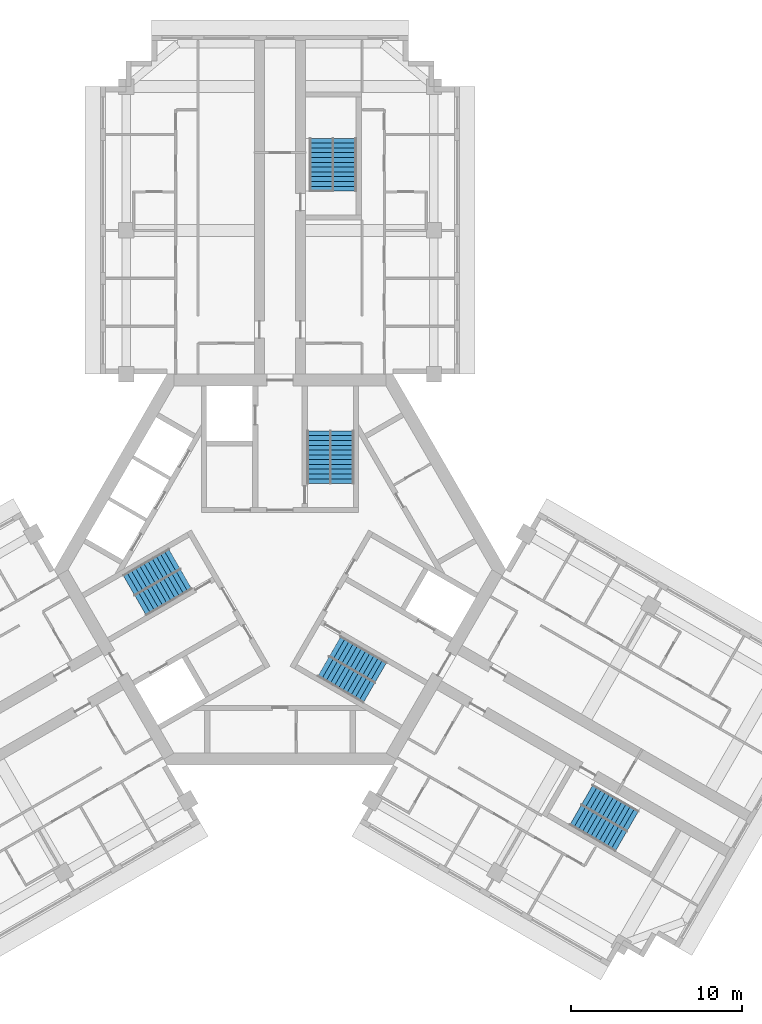
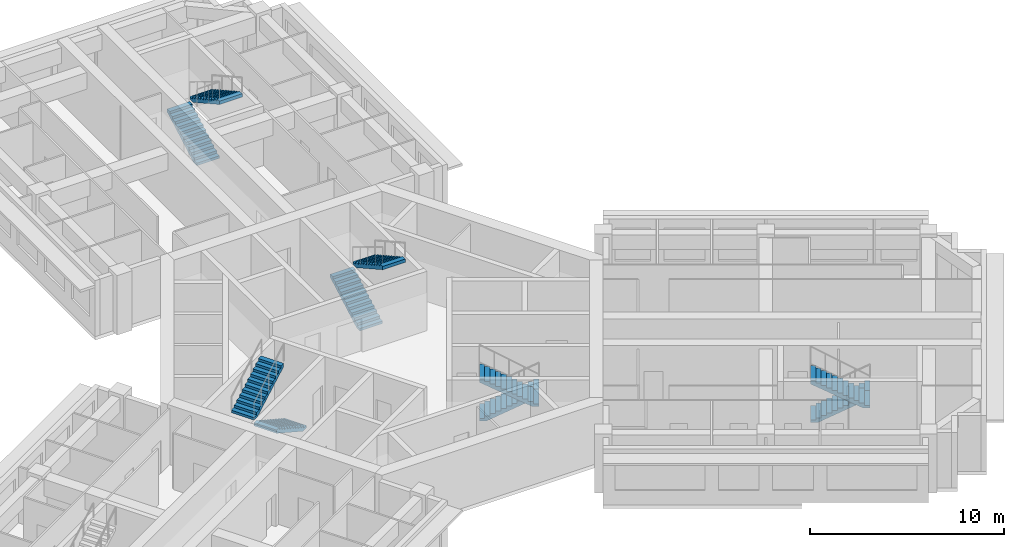
# One storey, part 9 of 10: 10 stair flights, 5 elements without a shape of their own.
"""IFC4 building model written with IfcOpenShell, lengths in metres."""

from ifc_helpers import new_model, si_unit, direction, frame, origin, place, context, subcontext, project, spatial, polyline, outline, extrude, material, type_object, element, aggregate, save


model = new_model("IFC4")

# Units and contexts
model_context = context("Model", 3, precision=1e-05, world=origin(), true_north=direction((0.0, 1.0)))
body_context = subcontext(model_context, "Body", "Model", "MODEL_VIEW")
ifc_project = project(units=[si_unit("LENGTHUNIT", "METRE"), si_unit("AREAUNIT", "SQUARE_METRE"), si_unit("VOLUMEUNIT", "CUBIC_METRE"), si_unit("PLANEANGLEUNIT", "RADIAN"), si_unit("MASSUNIT", "GRAM", prefix="KILO")], contexts=[model_context])

# Site, building, storey
site_placement = place(None, origin())
site = spatial("IfcSite", under=ifc_project, at=site_placement, CompositionType="ELEMENT")
building_placement = place(site_placement, origin())
building = spatial("IfcBuilding", under=site, at=building_placement, Name="Impinga Residences", CompositionType="ELEMENT")
storey_placement = place(building_placement, frame((0.0, 0.0, 267.25)))
storey = spatial("IfcBuildingStorey", under=building, at=storey_placement, Name="L67", CompositionType="ELEMENT", Elevation=267.25)

# Stair, stair flights
ifc_material = material(Name="Concrete C40/50", Category="concrete")
stair_type_1 = type_object("IfcStairType", Name="STR core stair 3750 storey, 24 risers", PredefinedType="HALF_TURN_STAIR", material=ifc_material)
stair_1_placement = place(storey_placement, origin())
stair_1 = element("IfcStair", 1, at=stair_1_placement, inside=storey, type_object=stair_type_1, Name="Stair ST1 L67", PredefinedType="HALF_TURN_STAIR")
stair_flight_type = type_object("IfcStairFlightType", Name="SF 12 risers of 156", PredefinedType="STRAIGHT", material=ifc_material)
stair_flight_1_placement = place(storey_placement, frame((2.27490234375, 5.030029296875, 0.0), z_axis=(0.0, 0.0, 1.0), x_axis=(0.0, 1.0, 0.0)))
stair_flight_1 = element("IfcStairFlight", 2, at=stair_flight_1_placement, type_object=stair_flight_type, Name="ST1 flight 1", NumberOfRisers=12, NumberOfTreads=11, PredefinedType="STRAIGHT", RiserHeight=0.15625, TreadLength=0.28, context=body_context, shape_type="SweptSolid", body=[
    extrude(outline(polyline([(0.0, 0.0), (0.0, 0.15625), (0.280029296875, 0.15625), (0.280029296875, 0.3125), (0.56005859375, 0.3125), (0.56005859375, 0.46875), (0.840087890625, 0.46875), (0.840087890625, 0.625), (1.1201171875, 0.625), (1.1201171875, 0.78125), (1.39990234375, 0.78125), (1.39990234375, 0.9375), (1.679931640625, 0.9375), (1.679931640625, 1.09375), (1.9599609375, 1.09375), (1.9599609375, 1.25), (2.239990234375, 1.25), (2.239990234375, 1.40625), (2.52001953125, 1.40625), (2.52001953125, 1.5625), (2.800048828125, 1.5625), (2.800048828125, 1.71875), (3.080078125, 1.71875), (3.080078125, 1.875), (3.080078125, 1.5126953125), (0.369140625, 0.0), (0.0, 0.0)])), frame((0.0, 0.675048828125, 0.0), z_axis=(0.0, -1.0, 0.0), x_axis=(1.0, 0.0, 0.0)), (0.0, 0.0, 1.0), 1.35009765625),
])
stair_flight_2_placement = place(storey_placement, frame((3.625, 8.110107421875, 1.875), z_axis=(0.0, 0.0, 1.0), x_axis=(0.0, -1.0, 0.0)))
stair_flight_2 = element("IfcStairFlight", 3, at=stair_flight_2_placement, type_object=stair_flight_type, Name="ST1 flight 2", NumberOfRisers=12, NumberOfTreads=11, PredefinedType="STRAIGHT", RiserHeight=0.15625, TreadLength=0.28, context=body_context, shape_type="SweptSolid", body=[
    extrude(outline(polyline([(0.0, 0.0), (0.0, 0.15625), (0.280029296875, 0.15625), (0.280029296875, 0.3125), (0.56005859375, 0.3125), (0.56005859375, 0.46875), (0.840087890625, 0.46875), (0.840087890625, 0.625), (1.1201171875, 0.625), (1.1201171875, 0.78125), (1.39990234375, 0.78125), (1.39990234375, 0.9375), (1.679931640625, 0.9375), (1.679931640625, 1.09375), (1.9599609375, 1.09375), (1.9599609375, 1.25), (2.239990234375, 1.25), (2.239990234375, 1.40625), (2.52001953125, 1.40625), (2.52001953125, 1.5625), (2.800048828125, 1.5625), (2.800048828125, 1.71875), (3.080078125, 1.71875), (3.080078125, 1.875), (3.080078125, 1.5126953125), (0.369140625, 0.0), (0.0, 0.0)])), frame((0.0, 0.675048828125, 0.0), z_axis=(0.0, -1.0, 0.0), x_axis=(1.0, 0.0, 0.0)), (0.0, 0.0, 1.0), 1.35009765625),
])
aggregate(stair_1, [stair_flight_1, stair_flight_2])

stair_2_placement = place(storey_placement, origin())
stair_2 = element("IfcStair", 4, at=stair_2_placement, inside=storey, type_object=stair_type_1, Name="Stair ST2 L67", PredefinedType="HALF_TURN_STAIR")
stair_flight_3_placement = place(storey_placement, frame((-5.49365234375, -0.544677734375, 0.0), z_axis=(0.0, 0.0, 1.0), x_axis=(-0.866025403784, -0.5, 0.0)))
stair_flight_3 = element("IfcStairFlight", 5, at=stair_flight_3_placement, type_object=stair_flight_type, Name="ST2 flight 1", NumberOfRisers=12, NumberOfTreads=11, PredefinedType="STRAIGHT", RiserHeight=0.15625, TreadLength=0.28, context=body_context, shape_type="SweptSolid", body=[
    extrude(outline(polyline([(0.0, 0.0), (0.0, 0.15625), (0.280029296875, 0.15625), (0.280029296875, 0.3125), (0.56005859375, 0.3125), (0.56005859375, 0.46875), (0.840087890625, 0.46875), (0.840087890625, 0.625), (1.1201171875, 0.625), (1.1201171875, 0.78125), (1.39990234375, 0.78125), (1.39990234375, 0.9375), (1.679931640625, 0.9375), (1.679931640625, 1.09375), (1.9599609375, 1.09375), (1.9599609375, 1.25), (2.239990234375, 1.25), (2.239990234375, 1.40625), (2.52001953125, 1.40625), (2.52001953125, 1.5625), (2.800048828125, 1.5625), (2.800048828125, 1.71875), (3.080078125, 1.71875), (3.080078125, 1.875), (3.080078125, 1.5126953125), (0.369140625, 0.0), (0.0, 0.0)])), frame((0.0, 0.675048828125, 0.0), z_axis=(0.0, -1.0, 0.0), x_axis=(1.0, 0.0, 0.0)), (0.0, 0.0, 1.0), 1.35009765625),
])
stair_flight_4_placement = place(storey_placement, frame((-8.8359375, -0.915771484375, 1.875), z_axis=(0.0, 0.0, 1.0), x_axis=(0.866025403784, 0.5, 0.0)))
stair_flight_4 = element("IfcStairFlight", 6, at=stair_flight_4_placement, type_object=stair_flight_type, Name="ST2 flight 2", NumberOfRisers=12, NumberOfTreads=11, PredefinedType="STRAIGHT", RiserHeight=0.15625, TreadLength=0.28, context=body_context, shape_type="SweptSolid", body=[
    extrude(outline(polyline([(0.0, 0.0), (0.0, 0.15625), (0.280029296875, 0.15625), (0.280029296875, 0.3125), (0.56005859375, 0.3125), (0.56005859375, 0.46875), (0.840087890625, 0.46875), (0.840087890625, 0.625), (1.1201171875, 0.625), (1.1201171875, 0.78125), (1.39990234375, 0.78125), (1.39990234375, 0.9375), (1.679931640625, 0.9375), (1.679931640625, 1.09375), (1.9599609375, 1.09375), (1.9599609375, 1.25), (2.239990234375, 1.25), (2.239990234375, 1.40625), (2.52001953125, 1.40625), (2.52001953125, 1.5625), (2.800048828125, 1.5625), (2.800048828125, 1.71875), (3.080078125, 1.71875), (3.080078125, 1.875), (3.080078125, 1.5126953125), (0.369140625, 0.0), (0.0, 0.0)])), frame((0.0, 0.675048828125, 0.0), z_axis=(0.0, -1.0, 0.0), x_axis=(1.0, 0.0, 0.0)), (0.0, 0.0, 1.0), 1.35009765625),
])
aggregate(stair_2, [stair_flight_3, stair_flight_4])

stair_3_placement = place(storey_placement, origin())
stair_3 = element("IfcStair", 7, at=stair_3_placement, inside=storey, type_object=stair_type_1, Name="Stair ST3 L67", PredefinedType="HALF_TURN_STAIR")
stair_flight_5_placement = place(storey_placement, frame((3.218505859375, -4.485107421875, 0.0), z_axis=(0.0, 0.0, 1.0), x_axis=(0.866025403784, -0.5, 0.0)))
stair_flight_5 = element("IfcStairFlight", 8, at=stair_flight_5_placement, type_object=stair_flight_type, Name="ST3 flight 1", NumberOfRisers=12, NumberOfTreads=11, PredefinedType="STRAIGHT", RiserHeight=0.15625, TreadLength=0.28, context=body_context, shape_type="SweptSolid", body=[
    extrude(outline(polyline([(0.0, 0.0), (0.0, 0.15625), (0.280029296875, 0.15625), (0.280029296875, 0.3125), (0.56005859375, 0.3125), (0.56005859375, 0.46875), (0.840087890625, 0.46875), (0.840087890625, 0.625), (1.1201171875, 0.625), (1.1201171875, 0.78125), (1.39990234375, 0.78125), (1.39990234375, 0.9375), (1.679931640625, 0.9375), (1.679931640625, 1.09375), (1.9599609375, 1.09375), (1.9599609375, 1.25), (2.239990234375, 1.25), (2.239990234375, 1.40625), (2.52001953125, 1.40625), (2.52001953125, 1.5625), (2.800048828125, 1.5625), (2.800048828125, 1.71875), (3.080078125, 1.71875), (3.080078125, 1.875), (3.080078125, 1.5126953125), (0.369140625, 0.0), (0.0, 0.0)])), frame((0.0, 0.675048828125, 0.0), z_axis=(0.0, -1.0, 0.0), x_axis=(1.0, 0.0, 0.0)), (0.0, 0.0, 1.0), 1.35009765625),
])
stair_flight_6_placement = place(storey_placement, frame((5.2109375, -7.1943359375, 1.875), z_axis=(0.0, 0.0, 1.0), x_axis=(-0.866025403784, 0.5, 0.0)))
stair_flight_6 = element("IfcStairFlight", 9, at=stair_flight_6_placement, type_object=stair_flight_type, Name="ST3 flight 2", NumberOfRisers=12, NumberOfTreads=11, PredefinedType="STRAIGHT", RiserHeight=0.15625, TreadLength=0.28, context=body_context, shape_type="SweptSolid", body=[
    extrude(outline(polyline([(0.0, 0.0), (0.0, 0.15625), (0.280029296875, 0.15625), (0.280029296875, 0.3125), (0.56005859375, 0.3125), (0.56005859375, 0.46875), (0.840087890625, 0.46875), (0.840087890625, 0.625), (1.1201171875, 0.625), (1.1201171875, 0.78125), (1.39990234375, 0.78125), (1.39990234375, 0.9375), (1.679931640625, 0.9375), (1.679931640625, 1.09375), (1.9599609375, 1.09375), (1.9599609375, 1.25), (2.239990234375, 1.25), (2.239990234375, 1.40625), (2.52001953125, 1.40625), (2.52001953125, 1.5625), (2.800048828125, 1.5625), (2.800048828125, 1.71875), (3.080078125, 1.71875), (3.080078125, 1.875), (3.080078125, 1.5126953125), (0.369140625, 0.0), (0.0, 0.0)])), frame((0.0, 0.675048828125, 0.0), z_axis=(0.0, -1.0, 0.0), x_axis=(1.0, 0.0, 0.0)), (0.0, 0.0, 1.0), 1.35009765625),
])
aggregate(stair_3, [stair_flight_5, stair_flight_6])

stair_type_2 = type_object("IfcStairType", Name="STR wing stair 3750 storey, 24 risers", PredefinedType="HALF_TURN_STAIR", material=ifc_material)
stair_4_placement = place(storey_placement, origin())
stair_4 = element("IfcStair", 10, at=stair_4_placement, inside=storey, type_object=stair_type_2, Name="Stair WS1 L67", PredefinedType="HALF_TURN_STAIR")
stair_flight_7_placement = place(storey_placement, frame((2.425048828125, 22.131591796875, 0.0), z_axis=(0.0, 0.0, 1.0), x_axis=(0.0, 1.0, 0.0)))
stair_flight_7 = element("IfcStairFlight", 11, at=stair_flight_7_placement, type_object=stair_flight_type, Name="WS1 flight 1", NumberOfRisers=12, NumberOfTreads=11, PredefinedType="STRAIGHT", RiserHeight=0.15625, TreadLength=0.28, context=body_context, shape_type="SweptSolid", body=[
    extrude(outline(polyline([(0.0, 0.0), (0.0, 0.15625), (0.280029296875, 0.15625), (0.280029296875, 0.3125), (0.56005859375, 0.3125), (0.56005859375, 0.46875), (0.840087890625, 0.46875), (0.840087890625, 0.625), (1.1201171875, 0.625), (1.1201171875, 0.78125), (1.39990234375, 0.78125), (1.39990234375, 0.9375), (1.679931640625, 0.9375), (1.679931640625, 1.09375), (1.9599609375, 1.09375), (1.9599609375, 1.25), (2.239990234375, 1.25), (2.239990234375, 1.40625), (2.52001953125, 1.40625), (2.52001953125, 1.5625), (2.800048828125, 1.5625), (2.800048828125, 1.71875), (3.080078125, 1.71875), (3.080078125, 1.875), (3.080078125, 1.5126953125), (0.369140625, 0.0), (0.0, 0.0)])), frame((0.0, 0.675048828125, 0.0), z_axis=(0.0, -1.0, 0.0), x_axis=(1.0, 0.0, 0.0)), (0.0, 0.0, 1.0), 1.35009765625),
])
stair_flight_8_placement = place(storey_placement, frame((3.77490234375, 25.21142578125, 1.875), z_axis=(0.0, 0.0, 1.0), x_axis=(0.0, -1.0, 0.0)))
stair_flight_8 = element("IfcStairFlight", 12, at=stair_flight_8_placement, type_object=stair_flight_type, Name="WS1 flight 2", NumberOfRisers=12, NumberOfTreads=11, PredefinedType="STRAIGHT", RiserHeight=0.15625, TreadLength=0.28, context=body_context, shape_type="SweptSolid", body=[
    extrude(outline(polyline([(0.0, 0.0), (0.0, 0.15625), (0.280029296875, 0.15625), (0.280029296875, 0.3125), (0.56005859375, 0.3125), (0.56005859375, 0.46875), (0.840087890625, 0.46875), (0.840087890625, 0.625), (1.1201171875, 0.625), (1.1201171875, 0.78125), (1.39990234375, 0.78125), (1.39990234375, 0.9375), (1.679931640625, 0.9375), (1.679931640625, 1.09375), (1.9599609375, 1.09375), (1.9599609375, 1.25), (2.239990234375, 1.25), (2.239990234375, 1.40625), (2.52001953125, 1.40625), (2.52001953125, 1.5625), (2.800048828125, 1.5625), (2.800048828125, 1.71875), (3.080078125, 1.71875), (3.080078125, 1.875), (3.080078125, 1.5126953125), (0.369140625, 0.0), (0.0, 0.0)])), frame((0.0, 0.675048828125, 0.0), z_axis=(0.0, -1.0, 0.0), x_axis=(1.0, 0.0, 0.0)), (0.0, 0.0, 1.0), 1.35009765625),
])
aggregate(stair_4, [stair_flight_7, stair_flight_8])

stair_5_placement = place(storey_placement, origin())
stair_5 = element("IfcStair", 13, at=stair_5_placement, inside=storey, type_object=stair_type_2, Name="Stair WS3 L67", PredefinedType="HALF_TURN_STAIR")
stair_flight_9_placement = place(storey_placement, frame((17.953857421875, -13.165771484375, 0.0), z_axis=(0.0, 0.0, 1.0), x_axis=(0.866025403784, -0.5, 0.0)))
stair_flight_9 = element("IfcStairFlight", 14, at=stair_flight_9_placement, type_object=stair_flight_type, Name="WS3 flight 1", NumberOfRisers=12, NumberOfTreads=11, PredefinedType="STRAIGHT", RiserHeight=0.15625, TreadLength=0.28, context=body_context, shape_type="SweptSolid", body=[
    extrude(outline(polyline([(0.0, 0.0), (0.0, 0.15625), (0.280029296875, 0.15625), (0.280029296875, 0.3125), (0.56005859375, 0.3125), (0.56005859375, 0.46875), (0.840087890625, 0.46875), (0.840087890625, 0.625), (1.1201171875, 0.625), (1.1201171875, 0.78125), (1.39990234375, 0.78125), (1.39990234375, 0.9375), (1.679931640625, 0.9375), (1.679931640625, 1.09375), (1.9599609375, 1.09375), (1.9599609375, 1.25), (2.239990234375, 1.25), (2.239990234375, 1.40625), (2.52001953125, 1.40625), (2.52001953125, 1.5625), (2.800048828125, 1.5625), (2.800048828125, 1.71875), (3.080078125, 1.71875), (3.080078125, 1.875), (3.080078125, 1.5126953125), (0.369140625, 0.0), (0.0, 0.0)])), frame((0.0, 0.675048828125, 0.0), z_axis=(0.0, -1.0, 0.0), x_axis=(1.0, 0.0, 0.0)), (0.0, 0.0, 1.0), 1.35009765625),
])
stair_flight_10_placement = place(storey_placement, frame((19.9462890625, -15.875, 1.875), z_axis=(0.0, 0.0, 1.0), x_axis=(-0.866025403784, 0.5, 0.0)))
stair_flight_10 = element("IfcStairFlight", 15, at=stair_flight_10_placement, type_object=stair_flight_type, Name="WS3 flight 2", NumberOfRisers=12, NumberOfTreads=11, PredefinedType="STRAIGHT", RiserHeight=0.15625, TreadLength=0.28, context=body_context, shape_type="SweptSolid", body=[
    extrude(outline(polyline([(0.0, 0.0), (0.0, 0.15625), (0.280029296875, 0.15625), (0.280029296875, 0.3125), (0.56005859375, 0.3125), (0.56005859375, 0.46875), (0.840087890625, 0.46875), (0.840087890625, 0.625), (1.1201171875, 0.625), (1.1201171875, 0.78125), (1.39990234375, 0.78125), (1.39990234375, 0.9375), (1.679931640625, 0.9375), (1.679931640625, 1.09375), (1.9599609375, 1.09375), (1.9599609375, 1.25), (2.239990234375, 1.25), (2.239990234375, 1.40625), (2.52001953125, 1.40625), (2.52001953125, 1.5625), (2.800048828125, 1.5625), (2.800048828125, 1.71875), (3.080078125, 1.71875), (3.080078125, 1.875), (3.080078125, 1.5126953125), (0.369140625, 0.0), (0.0, 0.0)])), frame((0.0, 0.675048828125, 0.0), z_axis=(0.0, -1.0, 0.0), x_axis=(1.0, 0.0, 0.0)), (0.0, 0.0, 1.0), 1.35009765625),
])
aggregate(stair_5, [stair_flight_9, stair_flight_10])

save(model, "model.ifc")
